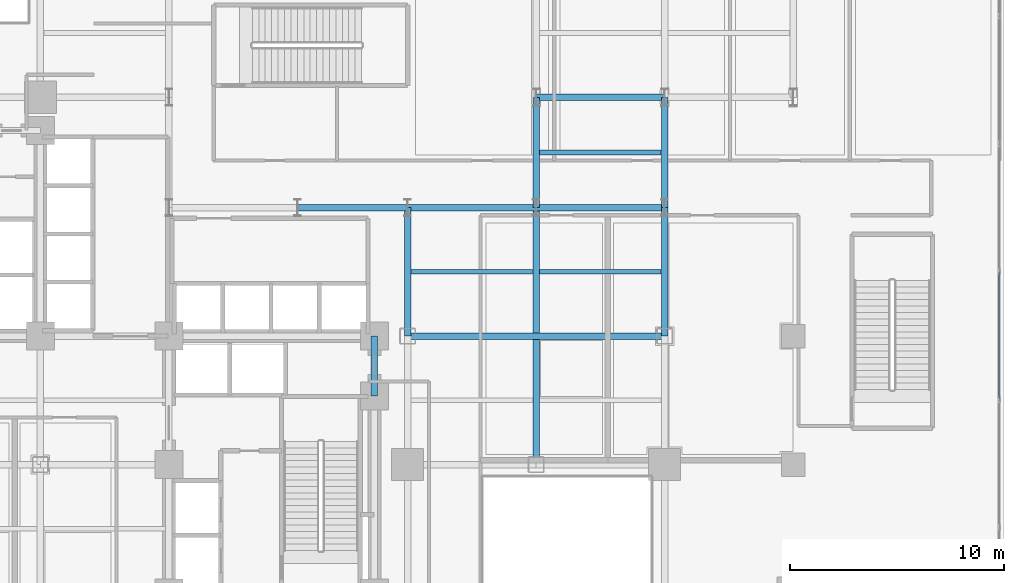
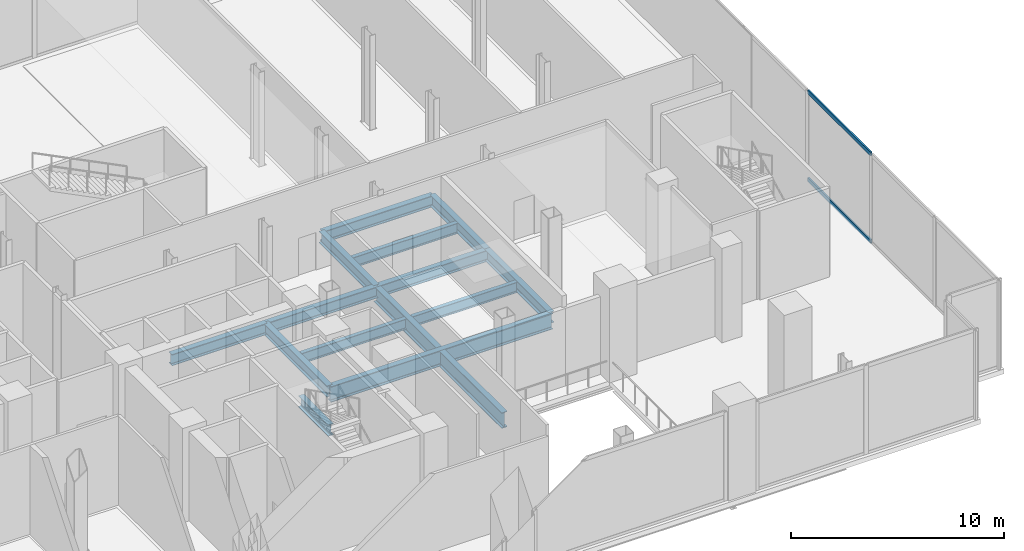
# One storey, part 11 of 28: 14 beams, 2 members, 1 element without a shape of its own.
"""IFC4 building model written with IfcOpenShell, lengths in metres."""

from ifc_helpers import new_model, si_unit, direction, frame, origin, origin_2d, place, context, subcontext, project, spatial, hollow_rectangle, i_section, extrude, material, layer, layer_set, material_profile, profile_set, type_object, element, aggregate, save


model = new_model("IFC4")

# Units and contexts
model_context = context("Model", 3, precision=1e-05, world=origin(), true_north=direction((0.0, 1.0)))
body_context = subcontext(model_context, "Body", "Model", "MODEL_VIEW")
ifc_project = project(units=[si_unit("LENGTHUNIT", "METRE"), si_unit("AREAUNIT", "SQUARE_METRE"), si_unit("VOLUMEUNIT", "CUBIC_METRE"), si_unit("PLANEANGLEUNIT", "RADIAN"), si_unit("MASSUNIT", "GRAM", prefix="KILO"), si_unit("THERMODYNAMICTEMPERATUREUNIT", "KELVIN"), si_unit("POWERUNIT", "WATT")], contexts=[model_context])

# Site, building, storey
site_placement = place(None, origin())
site = spatial("IfcSite", under=ifc_project, at=site_placement, CompositionType="ELEMENT")
building_placement = place(site_placement, origin())
building = spatial("IfcBuilding", under=site, at=building_placement, Name="Svarakhadi Broadcast Tower", CompositionType="ELEMENT")
storey_placement = place(building_placement, frame((0.0, 0.0, 11.10009765625)))
storey = spatial("IfcBuildingStorey", under=building, at=storey_placement, Name="L02", CompositionType="ELEMENT", Elevation=11.10009765625)

# Beams
ifc_material_1 = material(Name="Steel S355J2 (IS 2062 E350C)", Category="steel")
ifc_material_profile_1 = material_profile(ifc_material_1, i_section(OverallWidth=0.219970703125, OverallDepth=0.60009765625, WebThickness=0.011962890625, FlangeThickness=0.01904296875, FilletRadius=0.02392578125, at=origin_2d()), Name="NPB 600x220x122")
ifc_profile_set_1 = profile_set([ifc_material_profile_1], Name="Steel S355J2 (IS 2062 E350C)")
beam_type_1 = type_object("IfcBeamType", Name="Beam_NPB600", PredefinedType="BEAM", material=ifc_profile_set_1)
for number, where, z_axis, x_axis, name in (
    (1, (35.31005859375, 21.0, -0.5751953125), (1.0, 0.0, 0.0), (0.0, 1.0, 0.0), "L02 Secondary Composite Beam SB018"),
    (2, (41.31005859375, 21.0, -0.5751953125), (1.0, 0.0, 0.0), (0.0, 1.0, 0.0), "L02 Secondary Composite Beam SB020"),
    (3, (41.31005859375, 26.574951171875, -0.5751953125), (1.0, 0.0, 0.0), (0.0, 1.0, 0.0), "L02 Secondary Composite Beam SB021"),
):
    element("IfcBeam", number, at=place(storey_placement, frame(where, z_axis=z_axis, x_axis=x_axis)), inside=storey, type_object=beam_type_1, Name=name, PredefinedType="BEAM", context=body_context, shape_type="SweptSolid", body=[
        extrude(i_section(OverallWidth=0.219970703125, OverallDepth=0.60009765625, WebThickness=0.011962890625, FlangeThickness=0.01904296875, FilletRadius=0.02392578125, at=origin_2d()), origin(), (0.0, 0.0, 1.0), 5.679931640625),
    ])

# Curtain wall, members
ifc_material_2 = material(Name="Anodised Bronze Aluminium AA 6063-T6", Category="aluminium")
ifc_layer = layer(ifc_material_2, 0.25)
ifc_layer_set = layer_set([ifc_layer], Name="Anodised Bronze Aluminium AA 6063-T6")
curtain_wall_type = type_object("IfcCurtainWallType", Name="CW_Sys_01", PredefinedType="NOTDEFINED", material=ifc_layer_set)
curtain_wall_placement = place(storey_placement, origin())
curtain_wall = element("IfcCurtainWall", 4, at=curtain_wall_placement, inside=storey, type_object=curtain_wall_type, Name="L02 Unitised Facade Curtain Wall 08", PredefinedType="NOTDEFINED")
ifc_material_profile_2 = material_profile(ifc_material_2, hollow_rectangle(XDim=0.0849609375, YDim=0.219970703125, WallThickness=0.0048828125, at=origin_2d()), Name="ALU TRANSOM 220x85x5")
ifc_profile_set_2 = profile_set([ifc_material_profile_2], Name="Anodised Bronze Aluminium AA 6063-T6")
member_type = type_object("IfcMemberType", Name="CW_Sys_01_Trn", PredefinedType="USERDEFINED", material=ifc_profile_set_2)
member_1_placement = place(storey_placement, frame((62.780029296875, 20.96533203125, 0.04248046875), z_axis=(0.0, -1.0, 0.0), x_axis=(1.0, 0.0, 0.0)))
member_1 = element("IfcMember", 5, at=member_1_placement, type_object=member_type, Name="CW-01 transom 5.1", ObjectType="TRANSOM", PredefinedType="USERDEFINED", context=body_context, shape_type="SweptSolid", body=[
    extrude(hollow_rectangle(XDim=0.0849609375, YDim=0.219970703125, WallThickness=0.0048828125, at=origin_2d()), origin(), (0.0, 0.0, 1.0), 5.879150390625),
])
member_2_placement = place(storey_placement, frame((62.780029296875, 20.96533203125, 5.057373046875), z_axis=(0.0, -1.0, 0.0), x_axis=(1.0, 0.0, 0.0)))
member_2 = element("IfcMember", 6, at=member_2_placement, type_object=member_type, Name="CW-01 transom 5.2", ObjectType="TRANSOM", PredefinedType="USERDEFINED", context=body_context, shape_type="SweptSolid", body=[
    extrude(hollow_rectangle(XDim=0.0849609375, YDim=0.219970703125, WallThickness=0.0048828125, at=origin_2d()), origin(), (0.0, 0.0, 1.0), 5.879150390625),
])
aggregate(curtain_wall, [member_1, member_2])

# Beams
ifc_material_profile_3 = material_profile(ifc_material_1, i_section(OverallWidth=0.300048828125, OverallDepth=0.64990234375, WebThickness=0.01611328125, FlangeThickness=0.031005859375, FilletRadius=0.027099609375, at=origin_2d()), Name="WPB 650x300x225")
ifc_profile_set_3 = profile_set([ifc_material_profile_3], Name="Steel S355J2 (IS 2062 E350C)")
beam_type_2 = type_object("IfcBeamType", Name="Girder_WPB650", PredefinedType="USERDEFINED", material=ifc_profile_set_3)
beam_1_placement = place(storey_placement, frame((30.0, 24.0, -0.60009765625), z_axis=(1.0, 0.0, 0.0), x_axis=(0.0, 1.0, 0.0)))
element("IfcBeam", 7, at=beam_1_placement, inside=storey, type_object=beam_type_2, Name="L02 Primary E-W Girder G027", ObjectType="GIRDER", PredefinedType="USERDEFINED", context=body_context, shape_type="SweptSolid", body=[
    extrude(i_section(OverallWidth=0.300048828125, OverallDepth=0.64990234375, WebThickness=0.01611328125, FlangeThickness=0.031005859375, FilletRadius=0.027099609375, at=origin_2d()), origin(), (0.0, 0.0, 1.0), 5.14990234375),
])
for number, where, z_axis, x_axis, name in (
    (8, (35.14990234375, 24.0, -0.60009765625), (1.0, 0.0, 0.0), (0.0, 1.0, 0.0), "L02 Primary E-W Girder G028"),
    (9, (41.14990234375, 24.0, -0.60009765625), (1.0, 0.0, 0.0), (0.0, 1.0, 0.0), "L02 Primary E-W Girder G029"),
    (10, (41.14990234375, 29.14990234375, -0.60009765625), (1.0, 0.0, 0.0), (0.0, 1.0, 0.0), "L02 Primary E-W Girder G035"),
):
    element("IfcBeam", number, at=place(storey_placement, frame(where, z_axis=z_axis, x_axis=x_axis)), inside=storey, type_object=beam_type_2, Name=name, ObjectType="GIRDER", PredefinedType="USERDEFINED", context=body_context, shape_type="SweptSolid", body=[
        extrude(i_section(OverallWidth=0.300048828125, OverallDepth=0.64990234375, WebThickness=0.01611328125, FlangeThickness=0.031005859375, FilletRadius=0.027099609375, at=origin_2d()), origin(), (0.0, 0.0, 1.0), 6.0),
    ])
beam_2_placement = place(storey_placement, frame((33.60009765625, 15.199951171875, -0.60009765625), z_axis=(0.0, 1.0, 0.0), x_axis=(-1.0, 0.0, 0.0)))
element("IfcBeam", 11, at=beam_2_placement, inside=storey, type_object=beam_type_2, Name="L02 Primary N-S Girder G071", ObjectType="GIRDER", PredefinedType="USERDEFINED", context=body_context, shape_type="SweptSolid", body=[
    extrude(i_section(OverallWidth=0.300048828125, OverallDepth=0.64990234375, WebThickness=0.01611328125, FlangeThickness=0.031005859375, FilletRadius=0.027099609375, at=origin_2d()), origin(), (0.0, 0.0, 1.0), 2.800048828125),
])
beam_3_placement = place(storey_placement, frame((35.14990234375, 18.0, -0.60009765625), z_axis=(0.0, 1.0, 0.0), x_axis=(-1.0, 0.0, 0.0)))
element("IfcBeam", 12, at=beam_3_placement, inside=storey, type_object=beam_type_2, Name="L02 Primary N-S Girder G074", ObjectType="GIRDER", PredefinedType="USERDEFINED", context=body_context, shape_type="SweptSolid", body=[
    extrude(i_section(OverallWidth=0.300048828125, OverallDepth=0.64990234375, WebThickness=0.01611328125, FlangeThickness=0.031005859375, FilletRadius=0.027099609375, at=origin_2d()), origin(), (0.0, 0.0, 1.0), 6.0),
])
beam_4_placement = place(storey_placement, frame((41.14990234375, 24.0, -0.60009765625), z_axis=(0.0, 1.0, 0.0), x_axis=(-1.0, 0.0, 0.0)))
element("IfcBeam", 13, at=beam_4_placement, inside=storey, type_object=beam_type_2, Name="L02 Primary N-S Girder G076", ObjectType="GIRDER", PredefinedType="USERDEFINED", context=body_context, shape_type="SweptSolid", body=[
    extrude(i_section(OverallWidth=0.300048828125, OverallDepth=0.64990234375, WebThickness=0.01611328125, FlangeThickness=0.031005859375, FilletRadius=0.027099609375, at=origin_2d()), origin(), (0.0, 0.0, 1.0), 5.14990234375),
])
beam_5_placement = place(storey_placement, frame((47.14990234375, 18.0, -0.60009765625), z_axis=(0.0, 1.0, 0.0), x_axis=(-1.0, 0.0, 0.0)))
element("IfcBeam", 14, at=beam_5_placement, inside=storey, type_object=beam_type_2, Name="L02 Primary N-S Girder G080", ObjectType="GIRDER", PredefinedType="USERDEFINED", context=body_context, shape_type="SweptSolid", body=[
    extrude(i_section(OverallWidth=0.300048828125, OverallDepth=0.64990234375, WebThickness=0.01611328125, FlangeThickness=0.031005859375, FilletRadius=0.027099609375, at=origin_2d()), origin(), (0.0, 0.0, 1.0), 6.0),
])
beam_6_placement = place(storey_placement, frame((47.14990234375, 24.0, -0.60009765625), z_axis=(0.0, 1.0, 0.0), x_axis=(-1.0, 0.0, 0.0)))
element("IfcBeam", 15, at=beam_6_placement, inside=storey, type_object=beam_type_2, Name="L02 Primary N-S Girder G081", ObjectType="GIRDER", PredefinedType="USERDEFINED", context=body_context, shape_type="SweptSolid", body=[
    extrude(i_section(OverallWidth=0.300048828125, OverallDepth=0.64990234375, WebThickness=0.01611328125, FlangeThickness=0.031005859375, FilletRadius=0.027099609375, at=origin_2d()), origin(), (0.0, 0.0, 1.0), 5.14990234375),
])
ifc_material_3 = material(Name="Steel S460ML (IS 2062 E450BR)", Category="steel")
ifc_material_profile_4 = material_profile(ifc_material_3, i_section(OverallWidth=0.300048828125, OverallDepth=0.89990234375, WebThickness=0.0185546875, FlangeThickness=0.034912109375, FilletRadius=0.030029296875, at=origin_2d()), Name="WPB 900x300x291")
ifc_profile_set_4 = profile_set([ifc_material_profile_4], Name="Steel S460ML (IS 2062 E450BR)")
beam_type_3 = type_object("IfcBeamType", Name="Girder_WPB900", PredefinedType="USERDEFINED", material=ifc_profile_set_4)
for number, where, z_axis, x_axis, name in (
    (16, (35.14990234375, 18.0, -0.72509765625), (1.0, 0.0, 0.0), (0.0, 1.0, 0.0), "L02 Primary E-W Girder G025"),
    (17, (41.14990234375, 12.0, -0.72509765625), (0.0, 1.0, 0.0), (-1.0, 0.0, 0.0), "L02 Primary N-S Girder G075"),
):
    element("IfcBeam", number, at=place(storey_placement, frame(where, z_axis=z_axis, x_axis=x_axis)), inside=storey, type_object=beam_type_3, Name=name, ObjectType="GIRDER", PredefinedType="USERDEFINED", context=body_context, shape_type="SweptSolid", body=[
        extrude(i_section(OverallWidth=0.300048828125, OverallDepth=0.89990234375, WebThickness=0.0185546875, FlangeThickness=0.034912109375, FilletRadius=0.030029296875, at=origin_2d()), origin(), (0.0, 0.0, 1.0), 12.0),
    ])

save(model, "model.ifc")
